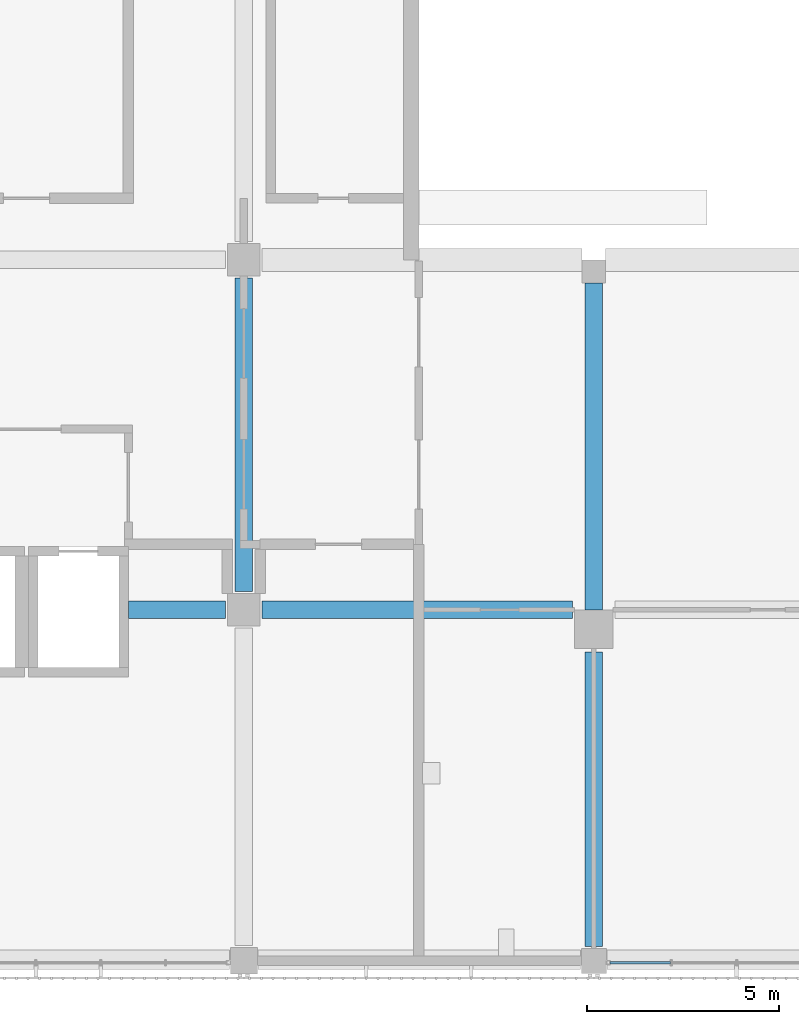
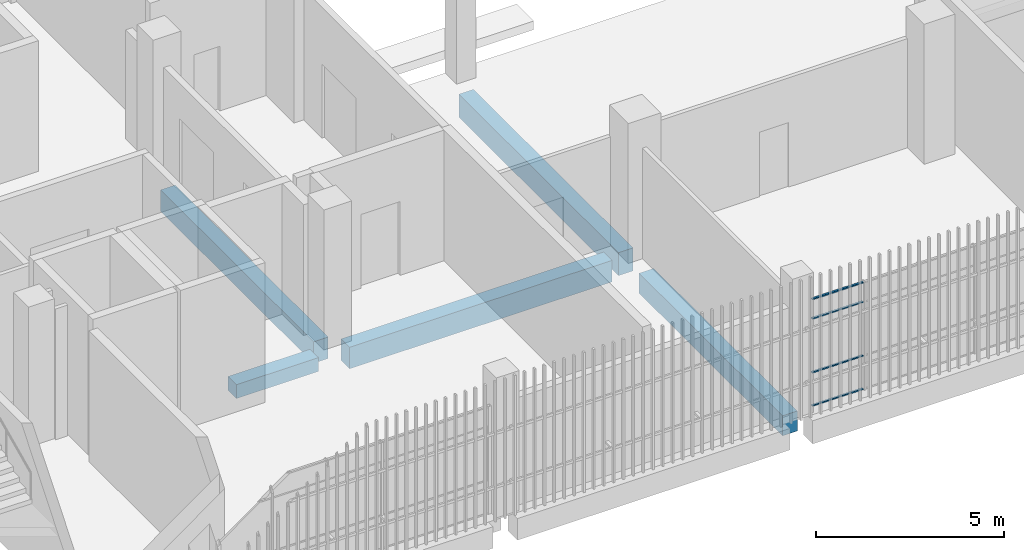
# One storey, part 7 of 126: 5 beams, 4 members, 1 element without a shape of its own.
"""IFC4 building model written with IfcOpenShell, lengths in metres."""

from ifc_helpers import new_model, si_unit, direction, frame, origin, origin_2d, place, context, subcontext, project, spatial, rectangle, hollow_rectangle, extrude, material, layer, layer_set, material_profile, profile_set, type_object, element, aggregate, save


model = new_model("IFC4")

# Units and contexts
model_context = context("Model", 3, precision=1e-05, world=origin(), true_north=direction((0.0, 1.0)))
body_context = subcontext(model_context, "Body", "Model", "MODEL_VIEW")
ifc_project = project(units=[si_unit("LENGTHUNIT", "METRE"), si_unit("AREAUNIT", "SQUARE_METRE"), si_unit("VOLUMEUNIT", "CUBIC_METRE"), si_unit("PLANEANGLEUNIT", "RADIAN"), si_unit("MASSUNIT", "GRAM", prefix="KILO")], contexts=[model_context])

# Site, building, storey
site_placement = place(None, origin())
site = spatial("IfcSite", under=ifc_project, at=site_placement, CompositionType="ELEMENT")
building_placement = place(site_placement, origin())
building = spatial("IfcBuilding", under=site, at=building_placement, Name="Shirokan Park Arena", CompositionType="ELEMENT")
storey_placement = place(building_placement, frame((0.0, 0.0, 6.3701171875)))
storey = spatial("IfcBuildingStorey", under=building, at=storey_placement, Name="L01", CompositionType="ELEMENT", Elevation=6.3701171875)

# Beams
ifc_material_1 = material(Name="Concrete C35", Category="concrete")
ifc_material_profile_1 = material_profile(ifc_material_1, rectangle(XDim=0.449951171875, YDim=0.64990234375, at=origin_2d()), Name="450x650")
ifc_profile_set_1 = profile_set([ifc_material_profile_1], Name="Concrete C35")
beam_type_1 = type_object("IfcBeamType", Name="RC girder 450x650", PredefinedType="BEAM", material=ifc_profile_set_1)
beam_1_placement = place(storey_placement, frame((45.5, 0.35009765625, -0.675048828125), z_axis=(0.0, 1.0, 0.0), x_axis=(-1.0, 0.0, 0.0)))
element("IfcBeam", 1, at=beam_1_placement, inside=storey, type_object=beam_type_1, Name="Girder 6A-6B L01", PredefinedType="BEAM", context=body_context, shape_type="SweptSolid", body=[
    extrude(rectangle(XDim=0.449951171875, YDim=0.64990234375, at=origin_2d()), origin(), (0.0, 0.0, 1.0), 7.64990234375),
])
ifc_material_profile_2 = material_profile(ifc_material_1, rectangle(XDim=0.449951171875, YDim=0.699951171875, at=origin_2d()), Name="450x700")
ifc_profile_set_2 = profile_set([ifc_material_profile_2], Name="Concrete C35")
beam_type_2 = type_object("IfcBeamType", Name="RC girder 450x700", PredefinedType="BEAM", material=ifc_profile_set_2)
beam_2_placement = place(storey_placement, frame((36.875, 9.10009765625, -0.7001953125), z_axis=(1.0, 0.0, 0.0), x_axis=(0.0, 1.0, 0.0)))
element("IfcBeam", 2, at=beam_2_placement, inside=storey, type_object=beam_type_2, Name="Girder 5B-6B L01", PredefinedType="BEAM", context=body_context, shape_type="SweptSolid", body=[
    extrude(rectangle(XDim=0.449951171875, YDim=0.699951171875, at=origin_2d()), origin(), (0.0, 0.0, 1.0), 8.074951171875),
])
beam_3_placement = place(storey_placement, frame((36.39990234375, 9.5751953125, -0.7001953125), z_axis=(0.0, 1.0, 0.0), x_axis=(-1.0, 0.0, 0.0)))
element("IfcBeam", 3, at=beam_3_placement, inside=storey, type_object=beam_type_2, Name="Girder 5B-5C L01", PredefinedType="BEAM", context=body_context, shape_type="SweptSolid", body=[
    extrude(rectangle(XDim=0.449951171875, YDim=0.699951171875, at=origin_2d()), origin(), (0.0, 0.0, 1.0), 8.149658203125),
])
ifc_material_profile_3 = material_profile(ifc_material_1, rectangle(XDim=0.449951171875, YDim=0.75, at=origin_2d()), Name="450x750")
ifc_profile_set_3 = profile_set([ifc_material_profile_3], Name="Concrete C35")
beam_type_3 = type_object("IfcBeamType", Name="RC girder 450x750", PredefinedType="BEAM", material=ifc_profile_set_3)
beam_4_placement = place(storey_placement, frame((45.5, 9.10009765625, -0.72509765625), z_axis=(0.0, 1.0, 0.0), x_axis=(-1.0, 0.0, 0.0)))
element("IfcBeam", 4, at=beam_4_placement, inside=storey, type_object=beam_type_3, Name="Girder 6B-6C L01", PredefinedType="BEAM", context=body_context, shape_type="SweptSolid", body=[
    extrude(rectangle(XDim=0.449951171875, YDim=0.75, at=origin_2d()), origin(), (0.0, 0.0, 1.0), 8.499755859375),
])
ifc_material_profile_4 = material_profile(ifc_material_1, rectangle(XDim=0.449951171875, YDim=0.449951171875, at=origin_2d()), Name="450x450")
ifc_profile_set_4 = profile_set([ifc_material_profile_4], Name="Concrete C35")
beam_type_4 = type_object("IfcBeamType", Name="RC trimmer 450x450", PredefinedType="BEAM", material=ifc_profile_set_4)
beam_5_placement = place(storey_placement, frame((33.39990234375, 9.10009765625, -0.5751953125), z_axis=(1.0, 0.0, 0.0), x_axis=(0.0, 1.0, 0.0)))
element("IfcBeam", 5, at=beam_5_placement, inside=storey, type_object=beam_type_4, Name="Girder 4B-5B L01", PredefinedType="BEAM", context=body_context, shape_type="SweptSolid", body=[
    extrude(rectangle(XDim=0.449951171875, YDim=0.449951171875, at=origin_2d()), origin(), (0.0, 0.0, 1.0), 2.52490234375),
])

# Curtain wall, members
ifc_material_2 = material(Name="Steel and glass curtain wall", Category="steel")
ifc_layer = layer(ifc_material_2, 0.14990234375)
ifc_layer_set = layer_set([ifc_layer], Name="Steel and glass curtain wall 150 mm")
curtain_wall_type = type_object("IfcCurtainWallType", Name="Curtain wall exposed bay 150", PredefinedType="NOTDEFINED", material=ifc_layer_set)
curtain_wall_placement = place(storey_placement, origin())
curtain_wall = element("IfcCurtainWall", 6, at=curtain_wall_placement, inside=storey, type_object=curtain_wall_type, Name="Curtain wall south bay 6 L01", PredefinedType="NOTDEFINED")
ifc_material_3 = material(Name="Steel S355", Category="steel")
ifc_material_profile_5 = material_profile(ifc_material_3, hollow_rectangle(XDim=0.06005859375, YDim=0.0400390625, WallThickness=0.00390625, at=origin_2d()), Name="RHS 60x40x4")
ifc_profile_set_5 = profile_set([ifc_material_profile_5], Name="Steel S355")
member_type = type_object("IfcMemberType", Name="Transom RHS 60x40x4", PredefinedType="MULLION", material=ifc_profile_set_5)
member_1_placement = place(storey_placement, frame((45.925048828125, -0.074951171875, 0.019775390625), z_axis=(1.0, 0.0, 0.0), x_axis=(0.0, 1.0, 0.0)))
member_1 = element("IfcMember", 7, at=member_1_placement, type_object=member_type, Name="CW1 transom 1.1", PredefinedType="MULLION", context=body_context, shape_type="SweptSolid", body=[
    extrude(hollow_rectangle(XDim=0.06005859375, YDim=0.0400390625, WallThickness=0.00390625, at=origin_2d()), origin(), (0.0, 0.0, 1.0), 1.570068359375),
])
member_2_placement = place(storey_placement, frame((45.925048828125, -0.074951171875, 1.099853515625), z_axis=(1.0, 0.0, 0.0), x_axis=(0.0, 1.0, 0.0)))
member_2 = element("IfcMember", 8, at=member_2_placement, type_object=member_type, Name="CW1 transom 1.2", PredefinedType="MULLION", context=body_context, shape_type="SweptSolid", body=[
    extrude(hollow_rectangle(XDim=0.06005859375, YDim=0.0400390625, WallThickness=0.00390625, at=origin_2d()), origin(), (0.0, 0.0, 1.0), 1.570068359375),
])
member_3_placement = place(storey_placement, frame((45.925048828125, -0.074951171875, 2.849853515625), z_axis=(1.0, 0.0, 0.0), x_axis=(0.0, 1.0, 0.0)))
member_3 = element("IfcMember", 9, at=member_3_placement, type_object=member_type, Name="CW1 transom 1.3", PredefinedType="MULLION", context=body_context, shape_type="SweptSolid", body=[
    extrude(hollow_rectangle(XDim=0.06005859375, YDim=0.0400390625, WallThickness=0.00390625, at=origin_2d()), origin(), (0.0, 0.0, 1.0), 1.570068359375),
])
member_4_placement = place(storey_placement, frame((45.925048828125, -0.074951171875, 3.47998046875), z_axis=(1.0, 0.0, 0.0), x_axis=(0.0, 1.0, 0.0)))
member_4 = element("IfcMember", 10, at=member_4_placement, type_object=member_type, Name="CW1 transom 1.4", PredefinedType="MULLION", context=body_context, shape_type="SweptSolid", body=[
    extrude(hollow_rectangle(XDim=0.06005859375, YDim=0.0400390625, WallThickness=0.00390625, at=origin_2d()), origin(), (0.0, 0.0, 1.0), 1.570068359375),
])
aggregate(curtain_wall, [member_1, member_2, member_3, member_4])

save(model, "model.ifc")
